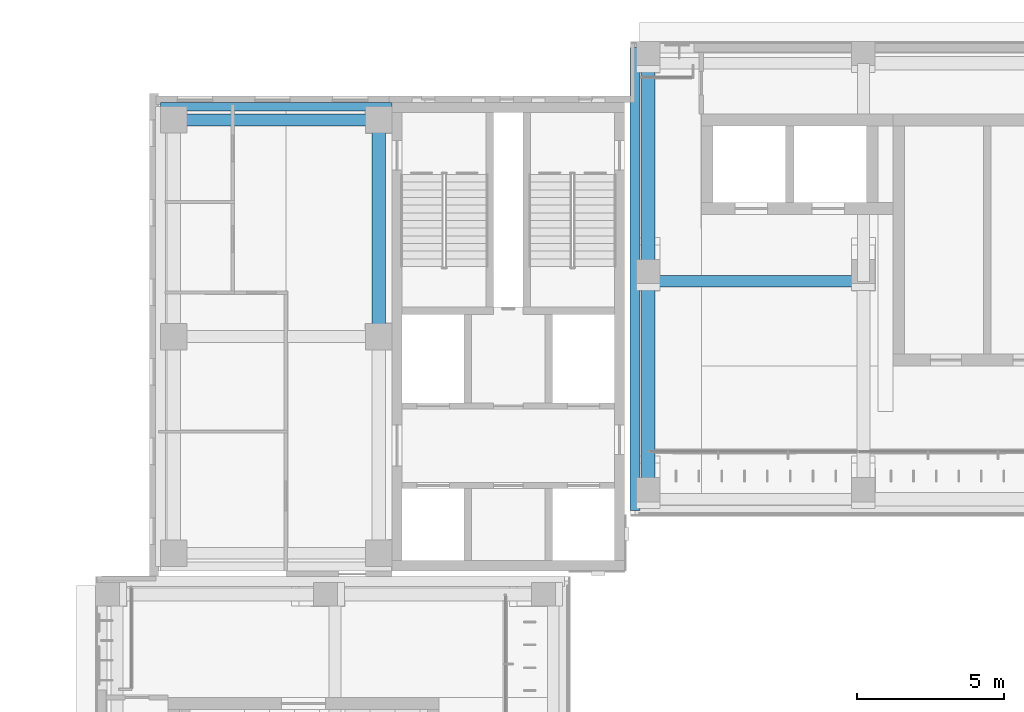
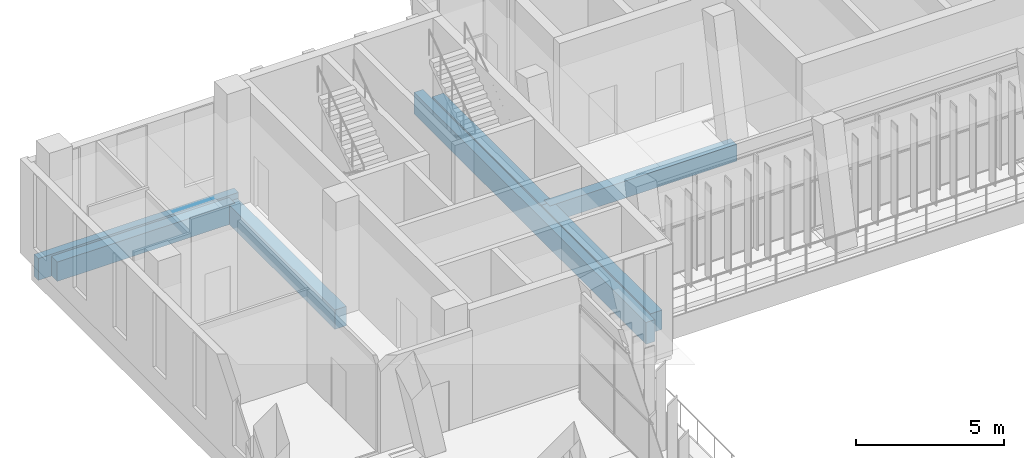
# One storey, part 70 of 141: 7 beams.
"""IFC4 building model written with IfcOpenShell, lengths in metres."""

from ifc_helpers import new_model, si_unit, direction, frame, origin, origin_2d, place, context, subcontext, project, spatial, rectangle, extrude, material, material_profile, profile_set, type_object, element, save


model = new_model("IFC4")

# Units and contexts
model_context = context("Model", 3, precision=1e-05, world=origin(), true_north=direction((0.0, 1.0)))
body_context = subcontext(model_context, "Body", "Model", "MODEL_VIEW")
ifc_project = project(units=[si_unit("LENGTHUNIT", "METRE"), si_unit("AREAUNIT", "SQUARE_METRE"), si_unit("VOLUMEUNIT", "CUBIC_METRE"), si_unit("PLANEANGLEUNIT", "RADIAN"), si_unit("MASSUNIT", "GRAM", prefix="KILO")], contexts=[model_context])

# Site, building, storey
site_placement = place(None, origin())
site = spatial("IfcSite", under=ifc_project, at=site_placement, CompositionType="ELEMENT")
building_placement = place(site_placement, origin())
building = spatial("IfcBuilding", under=site, at=building_placement, Name="Lantern Court Media Centre", CompositionType="ELEMENT")
storey_placement = place(building_placement, frame((0.0, 0.0, 9.60009765625)))
storey = spatial("IfcBuildingStorey", under=building, at=storey_placement, Name="L02", CompositionType="ELEMENT", Elevation=9.60009765625)

# Beams
ifc_material = material(Name="Concrete C35", Category="concrete")
ifc_material_profile_1 = material_profile(ifc_material, rectangle(XDim=0.300048828125, YDim=0.89990234375, at=origin_2d()), Name="RC 300x900")
ifc_profile_set_1 = profile_set([ifc_material_profile_1], Name="Concrete C35")
beam_type_1 = type_object("IfcBeamType", Name="RC BEAM 300x900", PredefinedType="BEAM", material=ifc_profile_set_1)
beam_1_placement = place(storey_placement, frame((8.14990234375, 111.85009765625, -0.4501953125), z_axis=(1.0, 0.0, 0.0), x_axis=(0.0, 1.0, 0.0)))
element("IfcBeam", 1, at=beam_1_placement, inside=storey, type_object=beam_type_1, Name="EB-NW-L02-N", PredefinedType="BEAM", context=body_context, shape_type="SweptSolid", body=[
    extrude(rectangle(XDim=0.300048828125, YDim=0.89990234375, at=origin_2d()), origin(), (0.0, 0.0, 1.0), 7.830078125),
])
ifc_material_profile_2 = material_profile(ifc_material, rectangle(XDim=0.35009765625, YDim=0.89990234375, at=origin_2d()), Name="RC 350x900")
ifc_profile_set_2 = profile_set([ifc_material_profile_2], Name="Concrete C35")
beam_type_2 = type_object("IfcBeamType", Name="RC BEAM 350x900", PredefinedType="BEAM", material=ifc_profile_set_2)
beam_2_placement = place(storey_placement, frame((24.25, 98.14990234375, -0.4501953125), z_axis=(0.0, 1.0, 0.0), x_axis=(-1.0, 0.0, 0.0)))
element("IfcBeam", 2, at=beam_2_placement, inside=storey, type_object=beam_type_2, Name="EB-N-L02-C", PredefinedType="BEAM", context=body_context, shape_type="SweptSolid", body=[
    extrude(rectangle(XDim=0.35009765625, YDim=0.89990234375, at=origin_2d()), origin(), (0.0, 0.0, 1.0), 15.7001953125),
])
ifc_material_profile_3 = material_profile(ifc_material, rectangle(XDim=0.39990234375, YDim=0.699951171875, at=origin_2d()), Name="RC 400x700")
ifc_profile_set_3 = profile_set([ifc_material_profile_3], Name="Concrete C35")
beam_type_3 = type_object("IfcBeamType", Name="RC BEAM 400x700", PredefinedType="BEAM", material=ifc_profile_set_3)
beam_3_placement = place(storey_placement, frame((24.699951171875, 105.927001953125, -0.35009765625), z_axis=(1.0, 0.0, 0.0), x_axis=(0.0, 1.0, 0.0)))
element("IfcBeam", 3, at=beam_3_placement, inside=storey, type_object=beam_type_3, Name="LB-N-L02-1-0", PredefinedType="BEAM", context=body_context, shape_type="SweptSolid", body=[
    extrude(rectangle(XDim=0.39990234375, YDim=0.699951171875, at=origin_2d()), origin(), (0.0, 0.0, 1.0), 7.300048828125),
])
ifc_material_profile_4 = material_profile(ifc_material, rectangle(XDim=0.39990234375, YDim=0.800048828125, at=origin_2d()), Name="RC 400x800")
ifc_profile_set_4 = profile_set([ifc_material_profile_4], Name="Concrete C35")
beam_type_4 = type_object("IfcBeamType", Name="RC BEAM 400x800", PredefinedType="BEAM", material=ifc_profile_set_4)
beam_4_placement = place(storey_placement, frame((8.60009765625, 111.39990234375, -0.400146484375), z_axis=(1.0, 0.0, 0.0), x_axis=(0.0, 1.0, 0.0)))
element("IfcBeam", 4, at=beam_4_placement, inside=storey, type_object=beam_type_4, Name="BB-NW-L02-Y0-111", PredefinedType="BEAM", context=body_context, shape_type="SweptSolid", body=[
    extrude(rectangle(XDim=0.39990234375, YDim=0.800048828125, at=origin_2d()), origin(), (0.0, 0.0, 1.0), 6.949951171875),
])
ifc_material_profile_5 = material_profile(ifc_material, rectangle(XDim=0.449951171875, YDim=0.800048828125, at=origin_2d()), Name="RC 450x800")
ifc_profile_set_5 = profile_set([ifc_material_profile_5], Name="Concrete C35")
beam_type_5 = type_object("IfcBeamType", Name="RC BEAM 450x800", PredefinedType="BEAM", material=ifc_profile_set_5)
beam_5_placement = place(storey_placement, frame((15.550048828125, 104.050048828125, -0.400146484375), z_axis=(0.0, 1.0, 0.0), x_axis=(-1.0, 0.0, 0.0)))
element("IfcBeam", 5, at=beam_5_placement, inside=storey, type_object=beam_type_5, Name="BB-NW-L02-X1-15", PredefinedType="BEAM", context=body_context, shape_type="SweptSolid", body=[
    extrude(rectangle(XDim=0.449951171875, YDim=0.800048828125, at=origin_2d()), origin(), (0.0, 0.0, 1.0), 7.349853515625),
])
beam_6_placement = place(storey_placement, frame((24.699951171875, 98.5166015625, -0.400146484375), z_axis=(0.0, 1.0, 0.0), x_axis=(-1.0, 0.0, 0.0)))
element("IfcBeam", 6, at=beam_6_placement, inside=storey, type_object=beam_type_5, Name="TB-N-L02-0-1", PredefinedType="BEAM", context=body_context, shape_type="SweptSolid", body=[
    extrude(rectangle(XDim=0.449951171875, YDim=0.800048828125, at=origin_2d()), origin(), (0.0, 0.0, 1.0), 7.400146484375),
])
beam_7_placement = place(storey_placement, frame((24.699951171875, 105.916748046875, -0.400146484375), z_axis=(0.0, 1.0, 0.0), x_axis=(-1.0, 0.0, 0.0)))
element("IfcBeam", 7, at=beam_7_placement, inside=storey, type_object=beam_type_5, Name="TB-N-L02-0-2", PredefinedType="BEAM", context=body_context, shape_type="SweptSolid", body=[
    extrude(rectangle(XDim=0.449951171875, YDim=0.800048828125, at=origin_2d()), origin(), (0.0, 0.0, 1.0), 7.39990234375),
])

save(model, "model.ifc")
